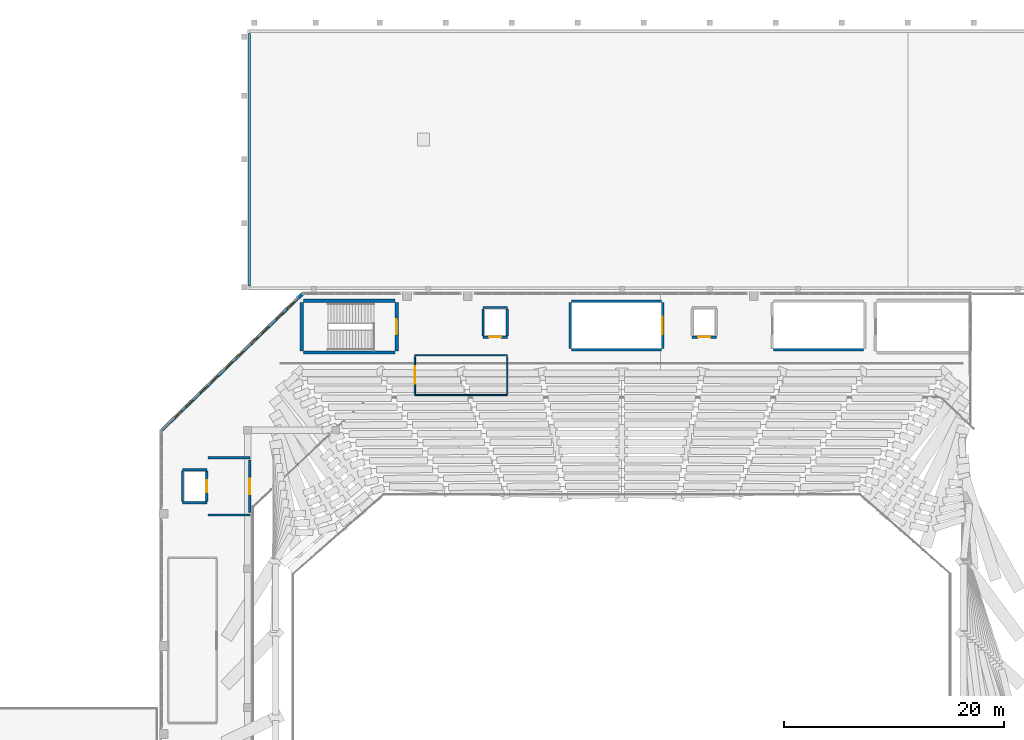
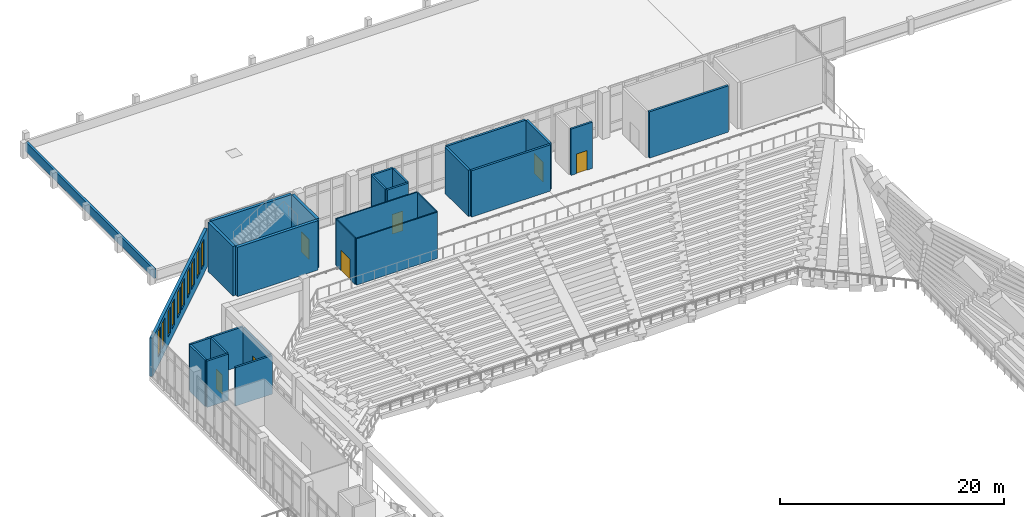
# One storey, part 47 of 55: 27 walls, 10 windows, 7 doors, 17 openings.
"""IFC4 building model written with IfcOpenShell, lengths in metres."""

import ifcopenshell
import ifcopenshell.guid

model = None  # the IFC model being written
_history = None  # IfcOwnerHistory: only IFC2X3 demands one
_inside = {}  # id of a spatial element -> (the spatial element, [elements in it])
_under = {}  # id of a project, library or spatial element -> (it, [spatial elements below it])
_declared = {}  # id of a project -> (the project, [libraries it declares])
_typed = {}  # id of a type object -> (the type object, [elements of that type])
_made_of = {}  # id of a material, layer set ... -> (it, [elements and type objects made of it])


def new_model(schema):
    """Start an empty IFC model of exactly this schema.

    Asked for "IFC4X3", IfcOpenShell would pick the latest addendum, in which some entities
    have other attributes; the version numbers below select the first issue.
    IFC2X3 requires an IfcOwnerHistory on every rooted entity: one is made here for all.
    """
    global model, _history
    if schema == "IFC4X3":
        model = ifcopenshell.file(schema_version=(4, 3, 0, 0))
    else:
        model = ifcopenshell.file(schema=schema)
    _inside.clear()
    _under.clear()
    _declared.clear()
    _typed.clear()
    _made_of.clear()
    _history = None
    if model.schema == "IFC2X3":
        org = make("IfcOrganization", Name="unknown")
        user = make(
            "IfcPersonAndOrganization",
            ThePerson=make("IfcPerson", FamilyName="unknown"),
            TheOrganization=org,
        )
        app = make(
            "IfcApplication",
            ApplicationDeveloper=org,
            Version="unknown",
            ApplicationFullName="unknown",
            ApplicationIdentifier="unknown",
        )
        _history = make(
            "IfcOwnerHistory",
            OwningUser=user,
            OwningApplication=app,
            ChangeAction="ADDED",
            CreationDate=0,
        )
    return model


def make(cls, **values):
    """One entity of the class cls with the attributes given. An attribute that is None is left unset."""
    return model.create_entity(
        cls, **{name: value for name, value in values.items() if value is not None}
    )


def rooted(cls, **values):
    """An entity with a GlobalId (a new one), such as an element, a storey or a relation."""
    return make(cls, GlobalId=ifcopenshell.guid.new(), OwnerHistory=_history, **values)


def si_unit(unit_type, name, prefix=None):
    """IfcSIUnit, for example si_unit("LENGTHUNIT", "METRE", prefix="MILLI")."""
    return make("IfcSIUnit", UnitType=unit_type, Prefix=prefix, Name=name)


def derived_unit(unit_type, elements):
    """IfcDerivedUnit: a product of units, each with its exponent."""
    return make(
        "IfcDerivedUnit",
        Elements=[
            make("IfcDerivedUnitElement", Unit=unit, Exponent=power)
            for unit, power in elements
        ],
        UnitType=unit_type,
    )


def assignment(units):
    """IfcUnitAssignment: the units of a project."""
    return None if units is None else make("IfcUnitAssignment", Units=units)


def point(xyz):
    """IfcCartesianPoint."""
    return None if xyz is None else make("IfcCartesianPoint", Coordinates=xyz)


def direction(xyz):
    """IfcDirection."""
    return None if xyz is None else make("IfcDirection", DirectionRatios=xyz)


def frame(location, z_axis=None, x_axis=None):
    """IfcAxis2Placement3D, a coordinate frame: its origin and axes. An axis left out is left unset."""
    return make(
        "IfcAxis2Placement3D",
        Location=point(location),
        Axis=direction(z_axis),
        RefDirection=direction(x_axis),
    )


def frame_2d(location, x_axis=None):
    """IfcAxis2Placement2D, a coordinate frame in the plane: its origin and x axis."""
    return make(
        "IfcAxis2Placement2D", Location=point(location), RefDirection=direction(x_axis)
    )


def origin():
    """The frame at (0, 0, 0) with its axes left unset."""
    return frame((0.0, 0.0, 0.0))


def place(relative_to, where):
    """IfcLocalPlacement: puts the frame where relative to a parent placement (None: the world)."""
    return make(
        "IfcLocalPlacement", PlacementRelTo=relative_to, RelativePlacement=where
    )


def context(
    kind, dimensions, precision=None, world=None, true_north=None, identifier=None
):
    """IfcGeometricRepresentationContext, for example the 3D "Model" context."""
    return make(
        "IfcGeometricRepresentationContext",
        ContextIdentifier=identifier,
        ContextType=kind,
        CoordinateSpaceDimension=dimensions,
        Precision=precision,
        WorldCoordinateSystem=world,
        TrueNorth=true_north,
    )


def subcontext(parent, identifier, kind, view, scale=None):
    """IfcGeometricRepresentationSubContext, for example "Body" below "Model"."""
    return make(
        "IfcGeometricRepresentationSubContext",
        ContextIdentifier=identifier,
        ContextType=kind,
        ParentContext=parent,
        TargetScale=scale,
        TargetView=view,
    )


def project(units=None, contexts=None):
    """IfcProject with its units and contexts."""
    return rooted(
        "IfcProject",
        Name="project",
        RepresentationContexts=contexts,
        UnitsInContext=assignment(units),
    )


def spatial(cls, under=None, at=None, **own):
    """A site, building, storey or space (cls), placed at a placement, below another one or the project."""
    s = rooted(cls, ObjectPlacement=at, **own)
    if under is not None:
        _under.setdefault(under.id(), (under, []))[1].append(s)
    return s


def profile(cls, at=None, kind="AREA", **sizes):
    """A parametric profile (cls). Its sizes go by their IFC names, for example OverallWidth=200.0."""
    return make(cls, ProfileType=kind, Position=at, **sizes)


def rectangle(**sizes):
    """IfcRectangleProfileDef."""
    return profile("IfcRectangleProfileDef", **sizes)


def extrude(swept, where, along, depth):
    """IfcExtrudedAreaSolid: the profile swept, set in the frame where, extruded along a direction by depth."""
    return make(
        "IfcExtrudedAreaSolid",
        SweptArea=swept,
        Position=where,
        ExtrudedDirection=direction(along),
        Depth=depth,
    )


def shape(context_of_items, identifier, shape_type, items):
    """IfcShapeRepresentation: the items that make up one representation, for example the "Body"."""
    return make(
        "IfcShapeRepresentation",
        ContextOfItems=context_of_items,
        RepresentationIdentifier=identifier,
        RepresentationType=shape_type,
        Items=items,
    )


def material(Name=None, Category=None):
    """IfcMaterial."""
    return make("IfcMaterial", Name=Name, Category=Category)


def layer(
    of_material, thickness, ventilated=None, Name=None, Category=None, Priority=None
):
    """IfcMaterialLayer: one layer of a wall or slab, of a material (None: an air gap)."""
    return make(
        "IfcMaterialLayer",
        Material=of_material,
        LayerThickness=thickness,
        IsVentilated=ventilated,
        Name=Name,
        Category=Category,
        Priority=Priority,
    )


def layer_set(layers, Name=None):
    """IfcMaterialLayerSet."""
    return make("IfcMaterialLayerSet", MaterialLayers=layers, LayerSetName=Name)


def made_of(thing, what):
    """Note that an element or type object is made of a material, layer set ...; save() writes the relation."""
    if what is not None:
        _made_of.setdefault(what.id(), (what, []))[1].append(thing)
    return thing


def type_object(cls, material=None, **own):
    """A type object (cls), such as IfcWallType, which elements share."""
    return made_of(rooted(cls, **own), material)


def element(
    cls,
    number,
    at=None,
    inside=None,
    cuts=None,
    type_object=None,
    material=None,
    context=None,
    identifier="Body",
    shape_type=None,
    held_by="IfcProductDefinitionShape",
    body=None,
    shapes=None,
    **own,
):
    """One element of the class cls, such as IfcWall. Its Tag is "e" and its number.

    at: its placement. inside: the storey or other place that contains it. cuts: it is an
    opening in that element (IfcRelVoidsElement). A single representation is given by context,
    identifier, shape_type and body (its items); several are given by shapes. held_by: the class
    of the entity that holds the representations. save() writes the other relations.
    """
    e = rooted(cls, Tag="e%d" % number, ObjectPlacement=at, **own)
    if body is not None:
        shapes = [shape(context, identifier, shape_type, body)]
    if shapes is not None:
        e.Representation = make(held_by, Representations=shapes)
    if inside is not None:
        _inside.setdefault(inside.id(), (inside, []))[1].append(e)
    if cuts is not None:
        rooted(
            "IfcRelVoidsElement", RelatingBuildingElement=cuts, RelatedOpeningElement=e
        )
    if type_object is not None:
        _typed.setdefault(type_object.id(), (type_object, []))[1].append(e)
    return made_of(e, material)


def fill(opening, filler):
    """IfcRelFillsElement: the door or window that sits in an opening."""
    return rooted(
        "IfcRelFillsElement",
        RelatingOpeningElement=opening,
        RelatedBuildingElement=filler,
    )


def aggregate(whole, parts):
    """IfcRelAggregates: a whole, such as a stair, and the parts it consists of."""
    return rooted("IfcRelAggregates", RelatingObject=whole, RelatedObjects=parts)


def save(model, path):
    """Write the relations noted so far, then the file.

    IfcRelAggregates (storeys below a building ...), IfcRelContainedInSpatialStructure (elements
    in a storey), IfcRelDefinesByType, IfcRelAssociatesMaterial and IfcRelDeclares: one each for
    every whole, place, type object, material and project.
    """
    for whole, parts in _under.values():
        aggregate(whole, parts)
    for where, things in _inside.values():
        rooted(
            "IfcRelContainedInSpatialStructure",
            RelatedElements=things,
            RelatingStructure=where,
        )
    for kind, things in _typed.values():
        rooted("IfcRelDefinesByType", RelatedObjects=things, RelatingType=kind)
    for what, things in _made_of.values():
        rooted("IfcRelAssociatesMaterial", RelatedObjects=things, RelatingMaterial=what)
    for by, libraries in _declared.values():
        rooted("IfcRelDeclares", RelatingContext=by, RelatedDefinitions=libraries)
    model.write(path)


model = new_model("IFC4")

# Units and contexts
model_context = context("Model", 3, precision=1e-05, world=origin(), true_north=direction((0.0, 1.0)))
body_context = subcontext(model_context, "Body", "Model", "MODEL_VIEW")
ifc_project = project(units=[si_unit("LENGTHUNIT", "METRE"), si_unit("AREAUNIT", "SQUARE_METRE"), si_unit("VOLUMEUNIT", "CUBIC_METRE"), si_unit("PLANEANGLEUNIT", "RADIAN"), si_unit("MASSUNIT", "GRAM", prefix="KILO"), derived_unit("THERMALTRANSMITTANCEUNIT", [(si_unit("MASSUNIT", "GRAM", prefix="KILO"), 1), (si_unit("TIMEUNIT", "SECOND"), -3), (si_unit("THERMODYNAMICTEMPERATUREUNIT", "KELVIN"), -1)])], contexts=[model_context])

# Site, building, storey
site_placement = place(None, origin())
site = spatial("IfcSite", under=ifc_project, at=site_placement, CompositionType="ELEMENT")
building_placement = place(site_placement, origin())
building = spatial("IfcBuilding", under=site, at=building_placement, Name="Valcora Ridge Arena", CompositionType="ELEMENT")
storey_placement = place(building_placement, frame((0.0, 0.0, 21.0)))
storey = spatial("IfcBuildingStorey", under=building, at=storey_placement, Name="L04", CompositionType="ELEMENT", Elevation=21.0)

# Wall, openings, windows
ifc_material_1 = material(Name="Bush-hammered Andean travertine on concrete backup C40/50", Category="masonry")
ifc_layer_1 = layer(ifc_material_1, 0.300048828125, Name="Bush-hammered Andean travertine on concrete backup C40/50")
ifc_layer_set_1 = layer_set([ifc_layer_1], Name="Bush-hammered Andean travertine on concrete backup C40/50")
wall_type_1 = type_object("IfcWallType", Name="TY-WALL-EW-TRV-30-42", PredefinedType="STANDARD", material=ifc_layer_set_1)
wall_1_placement = place(storey_placement, frame((29.0, 108.0, 0.0), z_axis=(0.0, 0.0, 1.0), x_axis=(-0.718244287729, -0.695791019736, 0.0)))
wall_1 = element("IfcWall", 1, at=wall_1_placement, inside=storey, type_object=wall_type_1, Name="EW-TRV-30-42 WAL-EW-0062", PredefinedType="STANDARD", context=body_context, shape_type="SweptSolid", body=[
    extrude(rectangle(XDim=17.8212890625, YDim=0.300048828125, at=frame_2d((8.91064453125, 0.0))), origin(), (0.0, 0.0, 1.0), 4.2099609375),
])
opening_1_placement = place(wall_1_placement, frame((1.10009765625, 0.0, 0.949951171875)))
opening_1 = element("IfcOpeningElement", 2, at=opening_1_placement, cuts=wall_1, Name="Opening W-GLAN-90X285", PredefinedType="OPENING", context=body_context, shape_type="SweptSolid", body=[
    extrude(rectangle(XDim=0.89990234375, YDim=2.85009765625, at=frame_2d((0.449951171875, 1.425048828125))), frame((0.0, 0.159912109375, 0.0), z_axis=(0.0, -1.0, 0.0), x_axis=(1.0, 0.0, 0.0)), (0.0, 0.0, 1.0), 0.320068359375),
])
opening_2_placement = place(wall_1_placement, frame((2.449951171875, 0.0, 0.949951171875)))
opening_2 = element("IfcOpeningElement", 3, at=opening_2_placement, cuts=wall_1, Name="Opening W-GLAN-90X285", PredefinedType="OPENING", context=body_context, shape_type="SweptSolid", body=[
    extrude(rectangle(XDim=0.89990234375, YDim=2.85009765625, at=frame_2d((0.449951171875, 1.425048828125))), frame((0.0, 0.159912109375, 0.0), z_axis=(0.0, -1.0, 0.0), x_axis=(1.0, 0.0, 0.0)), (0.0, 0.0, 1.0), 0.320068359375),
])
opening_3_placement = place(wall_1_placement, frame((4.300048828125, 0.0, 0.949951171875)))
opening_3 = element("IfcOpeningElement", 4, at=opening_3_placement, cuts=wall_1, Name="Opening W-GLAN-90X285", PredefinedType="OPENING", context=body_context, shape_type="SweptSolid", body=[
    extrude(rectangle(XDim=0.89990234375, YDim=2.85009765625, at=frame_2d((0.449951171875, 1.425048828125))), frame((0.0, 0.159912109375, 0.0), z_axis=(0.0, -1.0, 0.0), x_axis=(1.0, 0.0, 0.0)), (0.0, 0.0, 1.0), 0.320068359375),
])
opening_4_placement = place(wall_1_placement, frame((5.64990234375, 0.0, 0.949951171875)))
opening_4 = element("IfcOpeningElement", 5, at=opening_4_placement, cuts=wall_1, Name="Opening W-GLAN-90X285", PredefinedType="OPENING", context=body_context, shape_type="SweptSolid", body=[
    extrude(rectangle(XDim=0.89990234375, YDim=2.85009765625, at=frame_2d((0.449951171875, 1.425048828125))), frame((0.0, 0.159912109375, 0.0), z_axis=(0.0, -1.0, 0.0), x_axis=(1.0, 0.0, 0.0)), (0.0, 0.0, 1.0), 0.320068359375),
])
opening_5_placement = place(wall_1_placement, frame((7.5, 0.0, 0.949951171875)))
opening_5 = element("IfcOpeningElement", 6, at=opening_5_placement, cuts=wall_1, Name="Opening W-GLAN-90X285", PredefinedType="OPENING", context=body_context, shape_type="SweptSolid", body=[
    extrude(rectangle(XDim=0.89990234375, YDim=2.85009765625, at=frame_2d((0.449951171875, 1.425048828125))), frame((0.0, 0.159912109375, 0.0), z_axis=(0.0, -1.0, 0.0), x_axis=(1.0, 0.0, 0.0)), (0.0, 0.0, 1.0), 0.320068359375),
])
opening_6_placement = place(wall_1_placement, frame((8.85009765625, 0.0, 0.949951171875)))
opening_6 = element("IfcOpeningElement", 7, at=opening_6_placement, cuts=wall_1, Name="Opening W-GLAN-90X285", PredefinedType="OPENING", context=body_context, shape_type="SweptSolid", body=[
    extrude(rectangle(XDim=0.89990234375, YDim=2.85009765625, at=frame_2d((0.449951171875, 1.425048828125))), frame((0.0, 0.159912109375, 0.0), z_axis=(0.0, -1.0, 0.0), x_axis=(1.0, 0.0, 0.0)), (0.0, 0.0, 1.0), 0.320068359375),
])
opening_7_placement = place(wall_1_placement, frame((10.699951171875, 0.0, 0.949951171875)))
opening_7 = element("IfcOpeningElement", 8, at=opening_7_placement, cuts=wall_1, Name="Opening W-GLAN-90X285", PredefinedType="OPENING", context=body_context, shape_type="SweptSolid", body=[
    extrude(rectangle(XDim=0.89990234375, YDim=2.85009765625, at=frame_2d((0.449951171875, 1.425048828125))), frame((0.0, 0.159912109375, 0.0), z_axis=(0.0, -1.0, 0.0), x_axis=(1.0, 0.0, 0.0)), (0.0, 0.0, 1.0), 0.320068359375),
])
opening_8_placement = place(wall_1_placement, frame((12.050048828125, 0.0, 0.949951171875)))
opening_8 = element("IfcOpeningElement", 9, at=opening_8_placement, cuts=wall_1, Name="Opening W-GLAN-90X285", PredefinedType="OPENING", context=body_context, shape_type="SweptSolid", body=[
    extrude(rectangle(XDim=0.89990234375, YDim=2.85009765625, at=frame_2d((0.449951171875, 1.425048828125))), frame((0.0, 0.159912109375, 0.0), z_axis=(0.0, -1.0, 0.0), x_axis=(1.0, 0.0, 0.0)), (0.0, 0.0, 1.0), 0.320068359375),
])
opening_9_placement = place(wall_1_placement, frame((13.89990234375, 0.0, 0.949951171875)))
opening_9 = element("IfcOpeningElement", 10, at=opening_9_placement, cuts=wall_1, Name="Opening W-GLAN-90X285", PredefinedType="OPENING", context=body_context, shape_type="SweptSolid", body=[
    extrude(rectangle(XDim=0.89990234375, YDim=2.85009765625, at=frame_2d((0.449951171875, 1.425048828125))), frame((0.0, 0.159912109375, 0.0), z_axis=(0.0, -1.0, 0.0), x_axis=(1.0, 0.0, 0.0)), (0.0, 0.0, 1.0), 0.320068359375),
])
opening_10_placement = place(wall_1_placement, frame((15.25, 0.0, 0.949951171875)))
opening_10 = element("IfcOpeningElement", 11, at=opening_10_placement, cuts=wall_1, Name="Opening W-GLAN-90X285", PredefinedType="OPENING", context=body_context, shape_type="SweptSolid", body=[
    extrude(rectangle(XDim=0.89990234375, YDim=2.85009765625, at=frame_2d((0.449951171875, 1.425048828125))), frame((0.0, 0.159912109375, 0.0), z_axis=(0.0, -1.0, 0.0), x_axis=(1.0, 0.0, 0.0)), (0.0, 0.0, 1.0), 0.320068359375),
])
ifc_material_2 = material(Name="Low-iron solar-control double glazing SHGC 0.28", Category="glass")
window_type = type_object("IfcWindowType", Name="TY-WINDOW-W-GLAN-90X285", PartitioningType="DOUBLE_PANEL_VERTICAL", PredefinedType="WINDOW", material=ifc_material_2)
window_1_placement = place(opening_1_placement, origin())
window_1 = element("IfcWindow", 12, at=window_1_placement, inside=storey, type_object=window_type, Name="W-GLAN-90X285 WIN-EX-0151", OverallHeight=2.85009765625, OverallWidth=0.89990234375, PartitioningType="DOUBLE_PANEL_VERTICAL", PredefinedType="WINDOW", context=body_context, shape_type="SweptSolid", body=[
    extrude(rectangle(XDim=0.89990234375, YDim=2.85009765625, at=frame_2d((0.449951171875, 1.425048828125))), frame((0.0, 0.030029296875, 0.0), z_axis=(0.0, -1.0, 0.0), x_axis=(1.0, 0.0, 0.0)), (0.0, 0.0, 1.0), 0.06005859375),
])
fill(opening_1, window_1)
window_2_placement = place(opening_2_placement, origin())
window_2 = element("IfcWindow", 13, at=window_2_placement, inside=storey, type_object=window_type, Name="W-GLAN-90X285 WIN-EX-0152", OverallHeight=2.85009765625, OverallWidth=0.89990234375, PartitioningType="DOUBLE_PANEL_VERTICAL", PredefinedType="WINDOW", context=body_context, shape_type="SweptSolid", body=[
    extrude(rectangle(XDim=0.89990234375, YDim=2.85009765625, at=frame_2d((0.449951171875, 1.425048828125))), frame((0.0, 0.030029296875, 0.0), z_axis=(0.0, -1.0, 0.0), x_axis=(1.0, 0.0, 0.0)), (0.0, 0.0, 1.0), 0.06005859375),
])
fill(opening_2, window_2)
window_3_placement = place(opening_3_placement, origin())
window_3 = element("IfcWindow", 14, at=window_3_placement, inside=storey, type_object=window_type, Name="W-GLAN-90X285 WIN-EX-0153", OverallHeight=2.85009765625, OverallWidth=0.89990234375, PartitioningType="DOUBLE_PANEL_VERTICAL", PredefinedType="WINDOW", context=body_context, shape_type="SweptSolid", body=[
    extrude(rectangle(XDim=0.89990234375, YDim=2.85009765625, at=frame_2d((0.449951171875, 1.425048828125))), frame((0.0, 0.030029296875, 0.0), z_axis=(0.0, -1.0, 0.0), x_axis=(1.0, 0.0, 0.0)), (0.0, 0.0, 1.0), 0.06005859375),
])
fill(opening_3, window_3)
window_4_placement = place(opening_4_placement, origin())
window_4 = element("IfcWindow", 15, at=window_4_placement, inside=storey, type_object=window_type, Name="W-GLAN-90X285 WIN-EX-0154", OverallHeight=2.85009765625, OverallWidth=0.89990234375, PartitioningType="DOUBLE_PANEL_VERTICAL", PredefinedType="WINDOW", context=body_context, shape_type="SweptSolid", body=[
    extrude(rectangle(XDim=0.89990234375, YDim=2.85009765625, at=frame_2d((0.449951171875, 1.425048828125))), frame((0.0, 0.030029296875, 0.0), z_axis=(0.0, -1.0, 0.0), x_axis=(1.0, 0.0, 0.0)), (0.0, 0.0, 1.0), 0.06005859375),
])
fill(opening_4, window_4)
window_5_placement = place(opening_5_placement, origin())
window_5 = element("IfcWindow", 16, at=window_5_placement, inside=storey, type_object=window_type, Name="W-GLAN-90X285 WIN-EX-0155", OverallHeight=2.85009765625, OverallWidth=0.89990234375, PartitioningType="DOUBLE_PANEL_VERTICAL", PredefinedType="WINDOW", context=body_context, shape_type="SweptSolid", body=[
    extrude(rectangle(XDim=0.89990234375, YDim=2.85009765625, at=frame_2d((0.449951171875, 1.425048828125))), frame((0.0, 0.030029296875, 0.0), z_axis=(0.0, -1.0, 0.0), x_axis=(1.0, 0.0, 0.0)), (0.0, 0.0, 1.0), 0.06005859375),
])
fill(opening_5, window_5)
window_6_placement = place(opening_6_placement, origin())
window_6 = element("IfcWindow", 17, at=window_6_placement, inside=storey, type_object=window_type, Name="W-GLAN-90X285 WIN-EX-0156", OverallHeight=2.85009765625, OverallWidth=0.89990234375, PartitioningType="DOUBLE_PANEL_VERTICAL", PredefinedType="WINDOW", context=body_context, shape_type="SweptSolid", body=[
    extrude(rectangle(XDim=0.89990234375, YDim=2.85009765625, at=frame_2d((0.449951171875, 1.425048828125))), frame((0.0, 0.030029296875, 0.0), z_axis=(0.0, -1.0, 0.0), x_axis=(1.0, 0.0, 0.0)), (0.0, 0.0, 1.0), 0.06005859375),
])
fill(opening_6, window_6)
window_7_placement = place(opening_7_placement, origin())
window_7 = element("IfcWindow", 18, at=window_7_placement, inside=storey, type_object=window_type, Name="W-GLAN-90X285 WIN-EX-0157", OverallHeight=2.85009765625, OverallWidth=0.89990234375, PartitioningType="DOUBLE_PANEL_VERTICAL", PredefinedType="WINDOW", context=body_context, shape_type="SweptSolid", body=[
    extrude(rectangle(XDim=0.89990234375, YDim=2.85009765625, at=frame_2d((0.449951171875, 1.425048828125))), frame((0.0, 0.030029296875, 0.0), z_axis=(0.0, -1.0, 0.0), x_axis=(1.0, 0.0, 0.0)), (0.0, 0.0, 1.0), 0.06005859375),
])
fill(opening_7, window_7)
window_8_placement = place(opening_8_placement, origin())
window_8 = element("IfcWindow", 19, at=window_8_placement, inside=storey, type_object=window_type, Name="W-GLAN-90X285 WIN-EX-0158", OverallHeight=2.85009765625, OverallWidth=0.89990234375, PartitioningType="DOUBLE_PANEL_VERTICAL", PredefinedType="WINDOW", context=body_context, shape_type="SweptSolid", body=[
    extrude(rectangle(XDim=0.89990234375, YDim=2.85009765625, at=frame_2d((0.449951171875, 1.425048828125))), frame((0.0, 0.030029296875, 0.0), z_axis=(0.0, -1.0, 0.0), x_axis=(1.0, 0.0, 0.0)), (0.0, 0.0, 1.0), 0.06005859375),
])
fill(opening_8, window_8)
window_9_placement = place(opening_9_placement, origin())
window_9 = element("IfcWindow", 20, at=window_9_placement, inside=storey, type_object=window_type, Name="W-GLAN-90X285 WIN-EX-0159", OverallHeight=2.85009765625, OverallWidth=0.89990234375, PartitioningType="DOUBLE_PANEL_VERTICAL", PredefinedType="WINDOW", context=body_context, shape_type="SweptSolid", body=[
    extrude(rectangle(XDim=0.89990234375, YDim=2.85009765625, at=frame_2d((0.449951171875, 1.425048828125))), frame((0.0, 0.030029296875, 0.0), z_axis=(0.0, -1.0, 0.0), x_axis=(1.0, 0.0, 0.0)), (0.0, 0.0, 1.0), 0.06005859375),
])
fill(opening_9, window_9)
window_10_placement = place(opening_10_placement, origin())
window_10 = element("IfcWindow", 21, at=window_10_placement, inside=storey, type_object=window_type, Name="W-GLAN-90X285 WIN-EX-0160", OverallHeight=2.85009765625, OverallWidth=0.89990234375, PartitioningType="DOUBLE_PANEL_VERTICAL", PredefinedType="WINDOW", context=body_context, shape_type="SweptSolid", body=[
    extrude(rectangle(XDim=0.89990234375, YDim=2.85009765625, at=frame_2d((0.449951171875, 1.425048828125))), frame((0.0, 0.030029296875, 0.0), z_axis=(0.0, -1.0, 0.0), x_axis=(1.0, 0.0, 0.0)), (0.0, 0.0, 1.0), 0.06005859375),
])
fill(opening_10, window_10)

# Walls
ifc_material_3 = material(Name="Fire-resisting reinforced concrete enclosure C40/50 200 mm", Category="concrete")
ifc_layer_2 = layer(ifc_material_3, 0.199951171875, Name="Fire-resisting reinforced concrete enclosure C40/50 200 mm")
ifc_layer_set_2 = layer_set([ifc_layer_2], Name="Fire-resisting reinforced concrete enclosure C40/50 200 mm")
wall_type_2 = type_object("IfcWallType", Name="TY-WALL-IW-FIRE-200", PredefinedType="STANDARD", material=ifc_layer_set_2)
for number, where, z_axis, x_axis, name in (
    (22, (20.39990234375, 87.89990234375, 0.0), (0.0, 0.0, 1.0), (1.0, 0.0, 0.0), "IW-FIRE-200 WAL-IN-0037"),
    (23, (20.39990234375, 93.10009765625, 0.0), (0.0, 0.0, 1.0), (1.0, 0.0, 0.0), "IW-FIRE-200 WAL-IN-0038"),
):
    element("IfcWall", number, at=place(storey_placement, frame(where, z_axis=z_axis, x_axis=x_axis)), inside=storey, type_object=wall_type_2, Name=name, PredefinedType="STANDARD", context=body_context, shape_type="SweptSolid", body=[
        extrude(rectangle(XDim=3.800048828125, YDim=0.199951171875, at=frame_2d((1.89990234375, 0.0))), origin(), (0.0, 0.0, 1.0), 4.2099609375),
    ])

# Wall, opening, door
wall_2_placement = place(storey_placement, frame((24.199951171875, 88.10009765625, 0.0), z_axis=(0.0, 0.0, 1.0), x_axis=(0.0, 1.0, 0.0)))
wall_2 = element("IfcWall", 24, at=wall_2_placement, inside=storey, type_object=wall_type_2, Name="IW-FIRE-200 WAL-IN-0039", PredefinedType="STANDARD", context=body_context, shape_type="SweptSolid", body=[
    extrude(rectangle(XDim=4.7998046875, YDim=0.199951171875, at=frame_2d((2.39990234375, 0.0))), origin(), (0.0, 0.0, 1.0), 4.2099609375),
])
opening_11_placement = place(wall_2_placement, frame((1.699951171875, 0.0, 0.0)))
opening_11 = element("IfcOpeningElement", 25, at=opening_11_placement, cuts=wall_2, Name="Opening FD-FFL-1400", PredefinedType="OPENING", context=body_context, shape_type="SweptSolid", body=[
    extrude(rectangle(XDim=1.39990234375, YDim=2.199951171875, at=frame_2d((0.699951171875, 1.10009765625))), frame((0.0, 0.10986328125, 0.0), z_axis=(0.0, -1.0, 0.0), x_axis=(1.0, 0.0, 0.0)), (0.0, 0.0, 1.0), 0.219970703125),
])
ifc_material_4 = material(Name="Insulated fire-rated steel door leaf", Category="steel")
door_type_1 = type_object("IfcDoorType", Name="TY-DOOR-FD-FFL-1400", OperationType="NOTDEFINED", PredefinedType="DOOR", material=ifc_material_4)
door_1_placement = place(opening_11_placement, origin())
door_1 = element("IfcDoor", 26, at=door_1_placement, inside=storey, type_object=door_type_1, Name="FD-FFL-1400 DOR-IN-0013", OperationType="DOUBLE_DOOR_SINGLE_SWING", OverallHeight=2.199951171875, OverallWidth=1.39990234375, PredefinedType="DOOR", context=body_context, shape_type="SweptSolid", body=[
    extrude(rectangle(XDim=1.39990234375, YDim=2.199951171875, at=frame_2d((0.699951171875, 1.10009765625))), frame((0.0, 0.02490234375, 0.0), z_axis=(0.0, -1.0, 0.0), x_axis=(1.0, 0.0, 0.0)), (0.0, 0.0, 1.0), 0.050048828125),
])
fill(opening_11, door_1)

# Walls
ifc_material_5 = material(Name="Acoustic metal-stud gypsum partition 120 mm")
ifc_layer_3 = layer(ifc_material_5, 0.1201171875, Name="Acoustic metal-stud gypsum partition 120 mm")
ifc_layer_set_3 = layer_set([ifc_layer_3], Name="Acoustic metal-stud gypsum partition 120 mm")
wall_type_3 = type_object("IfcWallType", Name="TY-WALL-IW-PART-120", PredefinedType="PARTITIONING", material=ifc_layer_set_3)
for number, where, z_axis, x_axis, name in (
    (27, (39.199951171875, 98.800048828125, 0.0), (0.0, 0.0, 1.0), (1.0, 0.0, 0.0), "IW-PART-120 WAL-IN-0459"),
    (28, (39.199951171875, 102.39990234375, 0.0), (0.0, 0.0, 1.0), (1.0, 0.0, 0.0), "IW-PART-120 WAL-IN-0460"),
):
    element("IfcWall", number, at=place(storey_placement, frame(where, z_axis=z_axis, x_axis=x_axis)), inside=storey, type_object=wall_type_3, Name=name, PredefinedType="PARTITIONING", context=body_context, shape_type="SweptSolid", body=[
        extrude(rectangle(XDim=8.400146484375, YDim=0.1201171875, at=frame_2d((4.2001953125, 0.0))), origin(), (0.0, 0.0, 1.0), 5.06005859375),
    ])

# Wall, opening, door
wall_3_placement = place(storey_placement, frame((39.199951171875, 98.919921875, 0.0), z_axis=(0.0, 0.0, 1.0), x_axis=(0.0, 1.0, 0.0)))
wall_3 = element("IfcWall", 29, at=wall_3_placement, inside=storey, type_object=wall_type_3, Name="IW-PART-120 WAL-IN-0461", PredefinedType="PARTITIONING", context=body_context, shape_type="SweptSolid", body=[
    extrude(rectangle(XDim=3.360107421875, YDim=0.1201171875, at=frame_2d((1.68017578125, 0.0))), origin(), (0.0, 0.0, 1.0), 5.06005859375),
])
opening_12_placement = place(wall_3_placement, frame((0.8798828125, 0.0, 0.0)))
opening_12 = element("IfcOpeningElement", 30, at=opening_12_placement, cuts=wall_3, Name="Opening D-PUB-1600", PredefinedType="OPENING", context=body_context, shape_type="SweptSolid", body=[
    extrude(rectangle(XDim=1.60009765625, YDim=2.25, at=frame_2d((0.800048828125, 1.125))), frame((0.0, 0.070068359375, 0.0), z_axis=(0.0, -1.0, 0.0), x_axis=(1.0, 0.0, 0.0)), (0.0, 0.0, 1.0), 0.14013671875),
])
ifc_material_6 = material(Name="Solid-core acoustic timber veneer door leaf", Category="wood")
door_type_2 = type_object("IfcDoorType", Name="TY-DOOR-D-PUB-1600", OperationType="NOTDEFINED", PredefinedType="DOOR", material=ifc_material_6)
door_2_placement = place(opening_12_placement, origin())
door_2 = element("IfcDoor", 31, at=door_2_placement, inside=storey, type_object=door_type_2, Name="D-PUB-1600 DOR-IN-0120", OperationType="DOUBLE_DOOR_SINGLE_SWING", OverallHeight=2.25, OverallWidth=1.60009765625, PredefinedType="DOOR", context=body_context, shape_type="SweptSolid", body=[
    extrude(rectangle(XDim=1.60009765625, YDim=2.25, at=frame_2d((0.800048828125, 1.125))), frame((0.0, 0.02490234375, 0.0), z_axis=(0.0, -1.0, 0.0), x_axis=(1.0, 0.0, 0.0)), (0.0, 0.0, 1.0), 0.050048828125),
])
fill(opening_12, door_2)

# Walls
wall_4_placement = place(storey_placement, frame((47.60009765625, 98.919921875, 0.0), z_axis=(0.0, 0.0, 1.0), x_axis=(0.0, 1.0, 0.0)))
element("IfcWall", 32, at=wall_4_placement, inside=storey, type_object=wall_type_3, Name="IW-PART-120 WAL-IN-0462", PredefinedType="PARTITIONING", context=body_context, shape_type="SweptSolid", body=[
    extrude(rectangle(XDim=3.360107421875, YDim=0.1201171875, at=frame_2d((1.68017578125, 0.0))), origin(), (0.0, 0.0, 1.0), 5.06005859375),
])
ifc_material_7 = material(Name="Concrete C40/50", Category="concrete")
ifc_layer_4 = layer(ifc_material_7, 0.199951171875, Name="Concrete C40/50")
ifc_layer_set_4 = layer_set([ifc_layer_4], Name="Concrete C40/50")
wall_type_4 = type_object("IfcWallType", Name="TY-WALL-IW-SHF-200", PredefinedType="STANDARD", material=ifc_layer_set_4)
for number, where, z_axis, x_axis, name in (
    (33, (18.10009765625, 89.0, 0.0), (0.0, 0.0, 1.0), (1.0, 0.0, 0.0), "IW-SHF-200 WAL-SH-0049"),
    (34, (18.10009765625, 92.0, 0.0), (0.0, 0.0, 1.0), (1.0, 0.0, 0.0), "IW-SHF-200 WAL-SH-0050"),
):
    element("IfcWall", number, at=place(storey_placement, frame(where, z_axis=z_axis, x_axis=x_axis)), inside=storey, type_object=wall_type_4, Name=name, PredefinedType="STANDARD", context=body_context, shape_type="SweptSolid", body=[
        extrude(rectangle(XDim=2.199951171875, YDim=0.199951171875, at=frame_2d((1.10009765625, 0.0))), origin(), (0.0, 0.0, 1.0), 5.06005859375),
    ])
wall_5_placement = place(storey_placement, frame((18.10009765625, 89.1201171875, 0.0), z_axis=(0.0, 0.0, 1.0), x_axis=(0.0, 1.0, 0.0)))
element("IfcWall", 35, at=wall_5_placement, inside=storey, type_object=wall_type_4, Name="IW-SHF-200 WAL-SH-0051", PredefinedType="STANDARD", context=body_context, shape_type="SweptSolid", body=[
    extrude(rectangle(XDim=2.759765625, YDim=0.199951171875, at=frame_2d((1.3798828125, 0.0))), origin(), (0.0, 0.0, 1.0), 5.06005859375),
])

# Wall, opening, door
wall_6_placement = place(storey_placement, frame((20.300048828125, 89.1201171875, 0.0), z_axis=(0.0, 0.0, 1.0), x_axis=(0.0, 1.0, 0.0)))
wall_6 = element("IfcWall", 36, at=wall_6_placement, inside=storey, type_object=wall_type_4, Name="IW-SHF-200 WAL-SH-0052", PredefinedType="STANDARD", context=body_context, shape_type="SweptSolid", body=[
    extrude(rectangle(XDim=2.759765625, YDim=0.199951171875, at=frame_2d((1.3798828125, 0.0))), origin(), (0.0, 0.0, 1.0), 5.06005859375),
])
opening_13_placement = place(wall_6_placement, frame((0.830078125, 0.0, 0.0)))
opening_13 = element("IfcOpeningElement", 37, at=opening_13_placement, cuts=wall_6, Name="Opening LD-FF", PredefinedType="OPENING", context=body_context, shape_type="SweptSolid", body=[
    extrude(rectangle(XDim=1.10009765625, YDim=2.14990234375, at=frame_2d((0.550048828125, 1.074951171875))), frame((0.0, 0.10986328125, 0.0), z_axis=(0.0, -1.0, 0.0), x_axis=(1.0, 0.0, 0.0)), (0.0, 0.0, 1.0), 0.219970703125),
])
ifc_material_8 = material(Name="Insulated fire-rated hollow metal steel", Category="steel")
door_type_3 = type_object("IfcDoorType", Name="TY-DOOR-LD-FF", OperationType="NOTDEFINED", PredefinedType="DOOR", material=ifc_material_8)
door_3_placement = place(opening_13_placement, origin())
door_3 = element("IfcDoor", 38, at=door_3_placement, inside=storey, type_object=door_type_3, Name="FFL2 Landing Door L04", OperationType="SLIDING_TO_LEFT", OverallHeight=2.14990234375, OverallWidth=1.10009765625, PredefinedType="DOOR", context=body_context, shape_type="SweptSolid", body=[
    extrude(rectangle(XDim=1.10009765625, YDim=2.14990234375, at=frame_2d((0.550048828125, 1.074951171875))), frame((0.0, 0.02490234375, 0.0), z_axis=(0.0, -1.0, 0.0), x_axis=(1.0, 0.0, 0.0)), (0.0, 0.0, 1.0), 0.050048828125),
])
fill(opening_13, door_3)

wall_7_placement = place(storey_placement, frame((45.39990234375, 104.050048828125, 0.0), z_axis=(0.0, 0.0, 1.0), x_axis=(1.0, 0.0, 0.0)))
wall_7 = element("IfcWall", 39, at=wall_7_placement, inside=storey, type_object=wall_type_4, Name="IW-SHF-200 WAL-SH-0125", PredefinedType="STANDARD", context=body_context, shape_type="SweptSolid", body=[
    extrude(rectangle(XDim=2.2001953125, YDim=0.199951171875, at=frame_2d((1.10009765625, 0.0))), origin(), (0.0, 0.0, 1.0), 5.06005859375),
])
opening_14_placement = place(wall_7_placement, frame((0.550048828125, 0.0, 0.0)))
opening_14 = element("IfcOpeningElement", 40, at=opening_14_placement, cuts=wall_7, Name="Opening LD-PAX", PredefinedType="OPENING", context=body_context, shape_type="SweptSolid", body=[
    extrude(rectangle(XDim=1.10009765625, YDim=2.14990234375, at=frame_2d((0.550048828125, 1.074951171875))), frame((0.0, 0.10986328125, 0.0), z_axis=(0.0, -1.0, 0.0), x_axis=(1.0, 0.0, 0.0)), (0.0, 0.0, 1.0), 0.219970703125),
])
door_type_4 = type_object("IfcDoorType", Name="TY-DOOR-LD-PAX", OperationType="NOTDEFINED", PredefinedType="DOOR", material=ifc_material_8)
door_4_placement = place(opening_14_placement, origin())
door_4 = element("IfcDoor", 41, at=door_4_placement, inside=storey, type_object=door_type_4, Name="PL3 Landing Door L04", OperationType="SLIDING_TO_LEFT", OverallHeight=2.14990234375, OverallWidth=1.10009765625, PredefinedType="DOOR", context=body_context, shape_type="SweptSolid", body=[
    extrude(rectangle(XDim=1.10009765625, YDim=2.14990234375, at=frame_2d((0.550048828125, 1.074951171875))), frame((0.0, 0.02490234375, 0.0), z_axis=(0.0, -1.0, 0.0), x_axis=(1.0, 0.0, 0.0)), (0.0, 0.0, 1.0), 0.050048828125),
])
fill(opening_14, door_4)

# Walls
wall_8_placement = place(storey_placement, frame((45.39990234375, 106.75, 0.0), z_axis=(0.0, 0.0, 1.0), x_axis=(1.0, 0.0, 0.0)))
element("IfcWall", 42, at=wall_8_placement, inside=storey, type_object=wall_type_4, Name="IW-SHF-200 WAL-SH-0126", PredefinedType="STANDARD", context=body_context, shape_type="SweptSolid", body=[
    extrude(rectangle(XDim=2.2001953125, YDim=0.199951171875, at=frame_2d((1.10009765625, 0.0))), origin(), (0.0, 0.0, 1.0), 5.06005859375),
])
for number, where, z_axis, x_axis, name in (
    (43, (45.39990234375, 104.169921875, 0.0), (0.0, 0.0, 1.0), (0.0, 1.0, 0.0), "IW-SHF-200 WAL-SH-0127"),
    (44, (47.60009765625, 104.169921875, 0.0), (0.0, 0.0, 1.0), (0.0, 1.0, 0.0), "IW-SHF-200 WAL-SH-0128"),
):
    element("IfcWall", number, at=place(storey_placement, frame(where, z_axis=z_axis, x_axis=x_axis)), inside=storey, type_object=wall_type_4, Name=name, PredefinedType="STANDARD", context=body_context, shape_type="SweptSolid", body=[
        extrude(rectangle(XDim=2.4599609375, YDim=0.199951171875, at=frame_2d((1.22998046875, 0.0))), origin(), (0.0, 0.0, 1.0), 5.06005859375),
    ])

# Wall, opening, door
wall_9_placement = place(storey_placement, frame((64.39990234375, 104.050048828125, 0.0), z_axis=(0.0, 0.0, 1.0), x_axis=(1.0, 0.0, 0.0)))
wall_9 = element("IfcWall", 45, at=wall_9_placement, inside=storey, type_object=wall_type_4, Name="IW-SHF-200 WAL-SH-0149", PredefinedType="STANDARD", context=body_context, shape_type="SweptSolid", body=[
    extrude(rectangle(XDim=2.2001953125, YDim=0.199951171875, at=frame_2d((1.10009765625, 0.0))), origin(), (0.0, 0.0, 1.0), 5.06005859375),
])
opening_15_placement = place(wall_9_placement, frame((0.550048828125, 0.0, 0.0)))
opening_15 = element("IfcOpeningElement", 46, at=opening_15_placement, cuts=wall_9, Name="Opening LD-PAX", PredefinedType="OPENING", context=body_context, shape_type="SweptSolid", body=[
    extrude(rectangle(XDim=1.10009765625, YDim=2.14990234375, at=frame_2d((0.550048828125, 1.074951171875))), frame((0.0, 0.10986328125, 0.0), z_axis=(0.0, -1.0, 0.0), x_axis=(1.0, 0.0, 0.0)), (0.0, 0.0, 1.0), 0.219970703125),
])
door_5_placement = place(opening_15_placement, origin())
door_5 = element("IfcDoor", 47, at=door_5_placement, inside=storey, type_object=door_type_4, Name="PL4 Landing Door L04", OperationType="SLIDING_TO_LEFT", OverallHeight=2.14990234375, OverallWidth=1.10009765625, PredefinedType="DOOR", context=body_context, shape_type="SweptSolid", body=[
    extrude(rectangle(XDim=1.10009765625, YDim=2.14990234375, at=frame_2d((0.550048828125, 1.074951171875))), frame((0.0, 0.02490234375, 0.0), z_axis=(0.0, -1.0, 0.0), x_axis=(1.0, 0.0, 0.0)), (0.0, 0.0, 1.0), 0.050048828125),
])
fill(opening_15, door_5)

# Walls
ifc_material_9 = material(Name="Concrete C45/55", Category="concrete")
ifc_layer_5 = layer(ifc_material_9, 0.300048828125, Name="Concrete C45/55")
ifc_layer_set_5 = layer_set([ifc_layer_5], Name="Concrete C45/55")
wall_type_5 = type_object("IfcWallType", Name="TY-WALL-SW-C300-L", PredefinedType="SHEAR", material=ifc_layer_set_5)
for number, where, z_axis, x_axis, name in (
    (48, (29.080078125, 102.64990234375, 0.0), (0.0, 0.0, 1.0), (1.0, 0.0, 0.0), "SW-C300-L WAL-CR-0073"),
    (49, (29.080078125, 107.35009765625, 0.0), (0.0, 0.0, 1.0), (1.0, 0.0, 0.0), "SW-C300-L WAL-CR-0074"),
):
    element("IfcWall", number, at=place(storey_placement, frame(where, z_axis=z_axis, x_axis=x_axis)), inside=storey, type_object=wall_type_5, Name=name, PredefinedType="SHEAR", context=body_context, shape_type="SweptSolid", body=[
        extrude(rectangle(XDim=8.31982421875, YDim=0.300048828125, at=frame_2d((4.159912109375, 0.0))), origin(), (0.0, 0.0, 1.0), 5.39990234375),
    ])
ifc_layer_6 = layer(ifc_material_9, 0.300048828125, Name="Concrete C45/55")
ifc_layer_set_6 = layer_set([ifc_layer_6], Name="Concrete C45/55")
wall_type_6 = type_object("IfcWallType", Name="TY-WALL-SW-C300-S", PredefinedType="SHEAR", material=ifc_layer_set_6)
wall_10_placement = place(storey_placement, frame((28.929931640625, 102.800048828125, 0.0), z_axis=(0.0, 0.0, 1.0), x_axis=(0.0, 1.0, 0.0)))
element("IfcWall", 50, at=wall_10_placement, inside=storey, type_object=wall_type_6, Name="SW-C300-S WAL-CR-0075", PredefinedType="SHEAR", context=body_context, shape_type="SweptSolid", body=[
    extrude(rectangle(XDim=4.39990234375, YDim=0.300048828125, at=frame_2d((2.199951171875, 0.0))), origin(), (0.0, 0.0, 1.0), 5.39990234375),
])

# Wall, opening, door
wall_11_placement = place(storey_placement, frame((37.550048828125, 102.800048828125, 0.0), z_axis=(0.0, 0.0, 1.0), x_axis=(0.0, 1.0, 0.0)))
wall_11 = element("IfcWall", 51, at=wall_11_placement, inside=storey, type_object=wall_type_6, Name="SW-C300-S WAL-CR-0076", PredefinedType="SHEAR", context=body_context, shape_type="SweptSolid", body=[
    extrude(rectangle(XDim=4.39990234375, YDim=0.300048828125, at=frame_2d((2.199951171875, 0.0))), origin(), (0.0, 0.0, 1.0), 5.39990234375),
])
opening_16_placement = place(wall_11_placement, frame((1.5, 0.0, 0.0)))
opening_16 = element("IfcOpeningElement", 52, at=opening_16_placement, cuts=wall_11, Name="Opening FD-01", PredefinedType="OPENING", context=body_context, shape_type="SweptSolid", body=[
    extrude(rectangle(XDim=1.39990234375, YDim=2.199951171875, at=frame_2d((0.699951171875, 1.10009765625))), frame((0.0, 0.159912109375, 0.0), z_axis=(0.0, -1.0, 0.0), x_axis=(1.0, 0.0, 0.0)), (0.0, 0.0, 1.0), 0.320068359375),
])
door_type_5 = type_object("IfcDoorType", Name="TY-DOOR-FD-01", OperationType="NOTDEFINED", PredefinedType="DOOR", material=ifc_material_4)
door_6_placement = place(opening_16_placement, origin())
door_6 = element("IfcDoor", 53, at=door_6_placement, inside=storey, type_object=door_type_5, Name="FD-01 DOR-ST-0019", OperationType="DOUBLE_DOOR_SINGLE_SWING", OverallHeight=2.199951171875, OverallWidth=1.39990234375, PredefinedType="DOOR", context=body_context, shape_type="SweptSolid", body=[
    extrude(rectangle(XDim=1.39990234375, YDim=2.199951171875, at=frame_2d((0.699951171875, 1.10009765625))), frame((0.0, 0.02490234375, 0.0), z_axis=(0.0, -1.0, 0.0), x_axis=(1.0, 0.0, 0.0)), (0.0, 0.0, 1.0), 0.050048828125),
])
fill(opening_16, door_6)

# Walls
ifc_layer_7 = layer(ifc_material_3, 0.219970703125, Name="Fire-resisting reinforced concrete enclosure C40/50 200 mm")
ifc_layer_set_7 = layer_set([ifc_layer_7], Name="Fire-resisting reinforced concrete enclosure C40/50 200 mm")
wall_type_7 = type_object("IfcWallType", Name="TY-WALL-SW-ES-220", PredefinedType="SHEAR", material=ifc_layer_set_7)
for number, where, z_axis, x_axis, name in (
    (54, (53.43994140625, 102.889892578125, 0.0), (0.0, 0.0, 1.0), (1.0, 0.0, 0.0), "SW-ES-220 WAL-ES-0069"),
    (55, (53.43994140625, 107.31005859375, 0.0), (0.0, 0.0, 1.0), (1.0, 0.0, 0.0), "SW-ES-220 WAL-ES-0070"),
):
    element("IfcWall", number, at=place(storey_placement, frame(where, z_axis=z_axis, x_axis=x_axis)), inside=storey, type_object=wall_type_7, Name=name, PredefinedType="SHEAR", context=body_context, shape_type="SweptSolid", body=[
        extrude(rectangle(XDim=8.16015625, YDim=0.219970703125, at=frame_2d((4.080078125, 0.0))), origin(), (0.0, 0.0, 1.0), 5.06005859375),
    ])
wall_12_placement = place(storey_placement, frame((53.330078125, 103.0, 0.0), z_axis=(0.0, 0.0, 1.0), x_axis=(0.0, 1.0, 0.0)))
element("IfcWall", 56, at=wall_12_placement, inside=storey, type_object=wall_type_7, Name="SW-ES-220 WAL-ES-0071", PredefinedType="SHEAR", context=body_context, shape_type="SweptSolid", body=[
    extrude(rectangle(XDim=4.199951171875, YDim=0.219970703125, at=frame_2d((2.10009765625, 0.0))), origin(), (0.0, 0.0, 1.0), 5.06005859375),
])

# Wall, opening, door
wall_13_placement = place(storey_placement, frame((61.7099609375, 103.0, 0.0), z_axis=(0.0, 0.0, 1.0), x_axis=(0.0, 1.0, 0.0)))
wall_13 = element("IfcWall", 57, at=wall_13_placement, inside=storey, type_object=wall_type_7, Name="SW-ES-220 WAL-ES-0072", PredefinedType="SHEAR", context=body_context, shape_type="SweptSolid", body=[
    extrude(rectangle(XDim=4.199951171875, YDim=0.219970703125, at=frame_2d((2.10009765625, 0.0))), origin(), (0.0, 0.0, 1.0), 5.06005859375),
])
opening_17_placement = place(wall_13_placement, frame((1.300048828125, 0.0, 0.0)))
opening_17 = element("IfcOpeningElement", 58, at=opening_17_placement, cuts=wall_13, Name="Opening FD-02", PredefinedType="OPENING", context=body_context, shape_type="SweptSolid", body=[
    extrude(rectangle(XDim=1.60009765625, YDim=2.199951171875, at=frame_2d((0.800048828125, 1.10009765625))), frame((0.0, 0.119873046875, 0.0), z_axis=(0.0, -1.0, 0.0), x_axis=(1.0, 0.0, 0.0)), (0.0, 0.0, 1.0), 0.239990234375),
])
door_type_6 = type_object("IfcDoorType", Name="TY-DOOR-FD-02", OperationType="NOTDEFINED", PredefinedType="DOOR", material=ifc_material_4)
door_7_placement = place(opening_17_placement, origin())
door_7 = element("IfcDoor", 59, at=door_7_placement, inside=storey, type_object=door_type_6, Name="FD-02 DOR-ES-0015", OperationType="DOUBLE_DOOR_SINGLE_SWING", OverallHeight=2.199951171875, OverallWidth=1.60009765625, PredefinedType="DOOR", context=body_context, shape_type="SweptSolid", body=[
    extrude(rectangle(XDim=1.60009765625, YDim=2.199951171875, at=frame_2d((0.800048828125, 1.10009765625))), frame((0.0, 0.02490234375, 0.0), z_axis=(0.0, -1.0, 0.0), x_axis=(1.0, 0.0, 0.0)), (0.0, 0.0, 1.0), 0.050048828125),
])
fill(opening_17, door_7)

# Walls
wall_14_placement = place(storey_placement, frame((71.800048828125, 102.889892578125, 0.0), z_axis=(0.0, 0.0, 1.0), x_axis=(1.0, 0.0, 0.0)))
element("IfcWall", 60, at=wall_14_placement, inside=storey, type_object=wall_type_7, Name="SW-ES-220 WAL-ES-0093", PredefinedType="SHEAR", context=body_context, shape_type="SweptSolid", body=[
    extrude(rectangle(XDim=8.159912109375, YDim=0.219970703125, at=frame_2d((4.080078125, 0.0))), origin(), (0.0, 0.0, 1.0), 5.06005859375),
])
ifc_layer_8 = layer(ifc_material_1, 0.239990234375, Name="Bush-hammered Andean travertine on concrete backup C40/50")
ifc_layer_set_8 = layer_set([ifc_layer_8], Name="Bush-hammered Andean travertine on concrete backup C40/50")
wall_type_8 = type_object("IfcWallType", Name="TY-WALL-WP-PARA-240", PredefinedType="PARAPET", material=ifc_layer_set_8)
wall_15_placement = place(storey_placement, frame((24.14990234375, 108.699951171875, 0.0), z_axis=(0.0, 0.0, 1.0), x_axis=(0.0, 1.0, 0.0)))
element("IfcWall", 61, at=wall_15_placement, inside=storey, type_object=wall_type_8, Name="WP-PARA-240 WAL-PP-0017", PredefinedType="PARAPET", context=body_context, shape_type="SweptSolid", body=[
    extrude(rectangle(XDim=22.949951171875, YDim=0.239990234375, at=frame_2d((11.47509765625, 0.0))), origin(), (0.0, 0.0, 1.0), 1.0),
])

save(model, "model.ifc")
